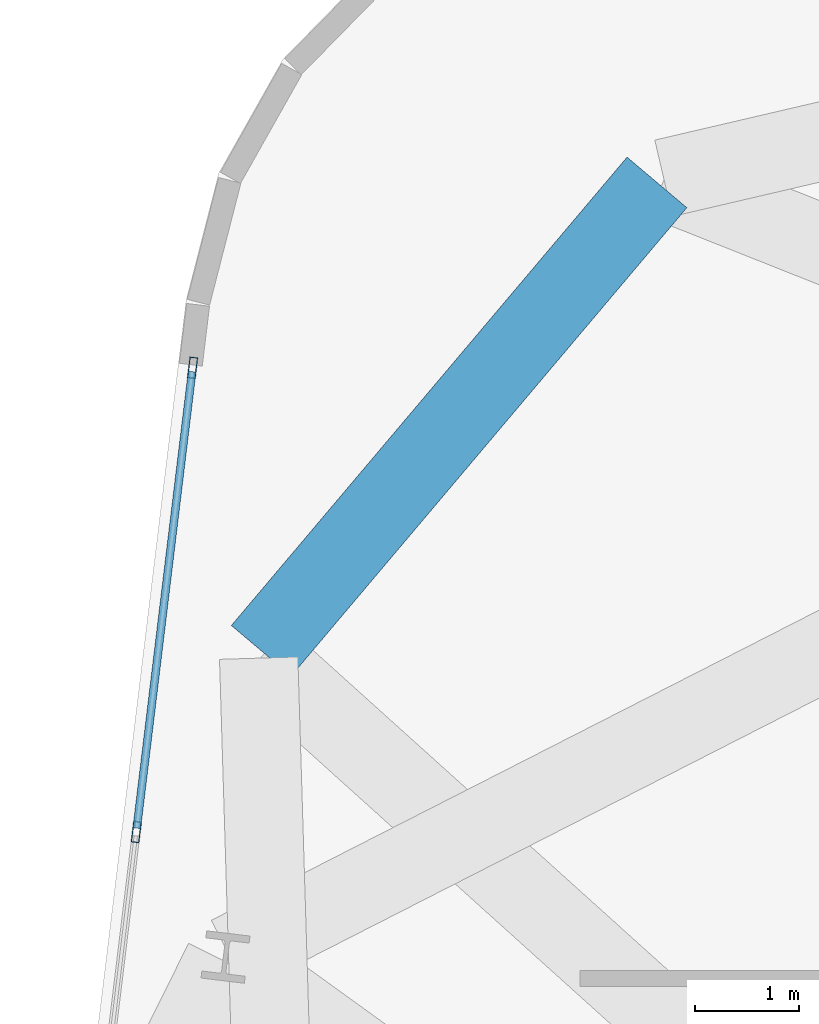
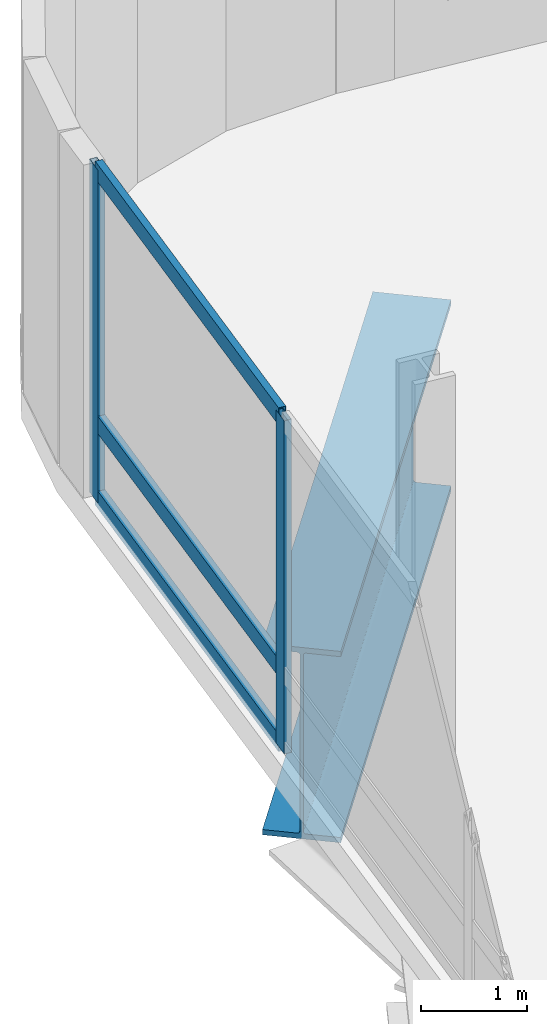
# One storey, part 8 of 22: 5 members, 1 beam, 1 element without a shape of its own.
"""IFC4 building model written with IfcOpenShell, lengths in metres."""

from ifc_helpers import new_model, si_unit, direction, frame, origin, origin_2d, place, context, subcontext, project, spatial, hollow_rectangle, i_section, extrude, material, layer, layer_set, material_profile, profile_set, type_object, element, aggregate, save


model = new_model("IFC4")

# Units and contexts
model_context = context("Model", 3, precision=1e-05, world=origin(), true_north=direction((0.0, 1.0)))
body_context = subcontext(model_context, "Body", "Model", "MODEL_VIEW")
ifc_project = project(units=[si_unit("LENGTHUNIT", "METRE"), si_unit("AREAUNIT", "SQUARE_METRE"), si_unit("VOLUMEUNIT", "CUBIC_METRE"), si_unit("PLANEANGLEUNIT", "RADIAN"), si_unit("MASSUNIT", "GRAM", prefix="KILO")], contexts=[model_context])

# Site, building, storey
site_placement = place(None, origin())
site = spatial("IfcSite", under=ifc_project, at=site_placement, CompositionType="ELEMENT")
building_placement = place(site_placement, origin())
building = spatial("IfcBuilding", under=site, at=building_placement, Name="Varnelok Gate Tower", CompositionType="ELEMENT")
storey_placement = place(building_placement, frame((0.0, 0.0, 116.89990234375)))
storey = spatial("IfcBuildingStorey", under=building, at=storey_placement, Name="L29", CompositionType="ELEMENT", Elevation=116.89990234375)

# Beam
ifc_material_1 = material(Name="Structural Steel ASTM A572 Grade 50", Category="steel")
ifc_material_profile_1 = material_profile(ifc_material_1, i_section(OverallWidth=0.75, OverallDepth=2.199951171875, WebThickness=0.031982421875, FlangeThickness=0.06005859375, FilletRadius=0.028076171875, at=origin_2d()), Name="PG2200X750")
ifc_profile_set_1 = profile_set([ifc_material_profile_1], Name="Structural Steel ASTM A572 Grade 50")
beam_type = type_object("IfcBeamType", Name="BM-TR-PG2200", PredefinedType="BEAM", material=ifc_profile_set_1)
beam_placement = place(storey_placement, frame((10.737548828125, 46.941650390625, -1.419921875), z_axis=(-0.645393911846, -0.763849918866, 0.0), x_axis=(0.763849918866, -0.645393911846, 0.0)))
element("IfcBeam", 1, at=beam_placement, inside=storey, type_object=beam_type, Name="L29 Transfer Support Ring Girder 14", PredefinedType="BEAM", context=body_context, shape_type="SweptSolid", body=[
    extrude(i_section(OverallWidth=0.75, OverallDepth=2.199951171875, WebThickness=0.031982421875, FlangeThickness=0.06005859375, FilletRadius=0.028076171875, at=origin_2d()), origin(), (0.0, 0.0, 1.0), 5.869873046875),
])

# Curtain wall, members
ifc_material_2 = material(Name="Anodized Aluminum Alloy 6063-T6", Category="aluminium")
ifc_layer = layer(ifc_material_2, 0.179931640625)
ifc_layer_set = layer_set([ifc_layer], Name="Anodized Aluminum Alloy 6063-T6")
curtain_wall_type = type_object("IfcCurtainWallType", Name="CW2-ATRIUM-GLAZING", PredefinedType="USERDEFINED", material=ifc_layer_set)
curtain_wall_placement = place(storey_placement, origin())
curtain_wall = element("IfcCurtainWall", 2, at=curtain_wall_placement, inside=storey, type_object=curtain_wall_type, Name="L29 West End Vision Curtain Wall", ObjectType="UNITISED CURTAIN WALL", PredefinedType="USERDEFINED")
ifc_material_profile_2 = material_profile(ifc_material_2, hollow_rectangle(XDim=0.074951171875, YDim=0.199951171875, WallThickness=0.00390625, at=origin_2d()), Name="ALU200X75X4")
ifc_profile_set_2 = profile_set([ifc_material_profile_2], Name="Anodized Aluminum Alloy 6063-T6")
member_type_1 = type_object("IfcMemberType", Name="CW-MULL-200", PredefinedType="MULLION", material=ifc_profile_set_2)
member_1_placement = place(storey_placement, frame((5.7529296875, 40.722900390625, 0.0), z_axis=(0.0, 0.0, 1.0), x_axis=(-0.992732166735, 0.120344692987, 0.0)))
member_1 = element("IfcMember", 3, at=member_1_placement, type_object=member_type_1, Name="CW2 mullion 7", PredefinedType="MULLION", context=body_context, shape_type="SweptSolid", body=[
    extrude(hollow_rectangle(XDim=0.074951171875, YDim=0.199951171875, WallThickness=0.00390625, at=origin_2d()), origin(), (0.0, 0.0, 1.0), 3.830078125),
])
member_2_placement = place(storey_placement, frame((6.291748046875, 45.167236328125, 0.0), z_axis=(0.0, 0.0, 1.0), x_axis=(-0.992732166735, 0.120344692987, 0.0)))
member_2 = element("IfcMember", 4, at=member_2_placement, type_object=member_type_1, Name="CW2 mullion 8", PredefinedType="MULLION", context=body_context, shape_type="SweptSolid", body=[
    extrude(hollow_rectangle(XDim=0.074951171875, YDim=0.199951171875, WallThickness=0.00390625, at=origin_2d()), origin(), (0.0, 0.0, 1.0), 3.830078125),
])
ifc_material_profile_3 = material_profile(ifc_material_2, hollow_rectangle(XDim=0.074951171875, YDim=0.199951171875, WallThickness=0.00390625, at=origin_2d()), Name="ALU200X75X4")
ifc_profile_set_3 = profile_set([ifc_material_profile_3], Name="Anodized Aluminum Alloy 6063-T6")
member_type_2 = type_object("IfcMemberType", Name="CW-TRAN-200", PredefinedType="USERDEFINED", material=ifc_profile_set_3)
member_3_placement = place(storey_placement, frame((5.757568359375, 40.76025390625, 0.03759765625), z_axis=(0.120354556512, 0.992730970972, 0.0), x_axis=(-0.992730970972, 0.120354556512, 0.0)))
member_3 = element("IfcMember", 5, at=member_3_placement, type_object=member_type_2, Name="CW2 transom 7.1", ObjectType="TRANSOM", PredefinedType="USERDEFINED", context=body_context, shape_type="SweptSolid", body=[
    extrude(hollow_rectangle(XDim=0.074951171875, YDim=0.199951171875, WallThickness=0.00390625, at=origin_2d()), origin(), (0.0, 0.0, 1.0), 4.40185546875),
])
member_4_placement = place(storey_placement, frame((5.757568359375, 40.76025390625, 0.900146484375), z_axis=(0.120354556512, 0.992730970972, 0.0), x_axis=(-0.992730970972, 0.120354556512, 0.0)))
member_4 = element("IfcMember", 6, at=member_4_placement, type_object=member_type_2, Name="CW2 transom 7.2", ObjectType="TRANSOM", PredefinedType="USERDEFINED", context=body_context, shape_type="SweptSolid", body=[
    extrude(hollow_rectangle(XDim=0.074951171875, YDim=0.199951171875, WallThickness=0.00390625, at=origin_2d()), origin(), (0.0, 0.0, 1.0), 4.40185546875),
])
member_5_placement = place(storey_placement, frame((5.757568359375, 40.76025390625, 3.79248046875), z_axis=(0.120354556512, 0.992730970972, 0.0), x_axis=(-0.992730970972, 0.120354556512, 0.0)))
member_5 = element("IfcMember", 7, at=member_5_placement, type_object=member_type_2, Name="CW2 transom 7.3", ObjectType="TRANSOM", PredefinedType="USERDEFINED", context=body_context, shape_type="SweptSolid", body=[
    extrude(hollow_rectangle(XDim=0.074951171875, YDim=0.199951171875, WallThickness=0.00390625, at=origin_2d()), origin(), (0.0, 0.0, 1.0), 4.40185546875),
])
aggregate(curtain_wall, [member_1, member_2, member_3, member_4, member_5])

save(model, "model.ifc")
